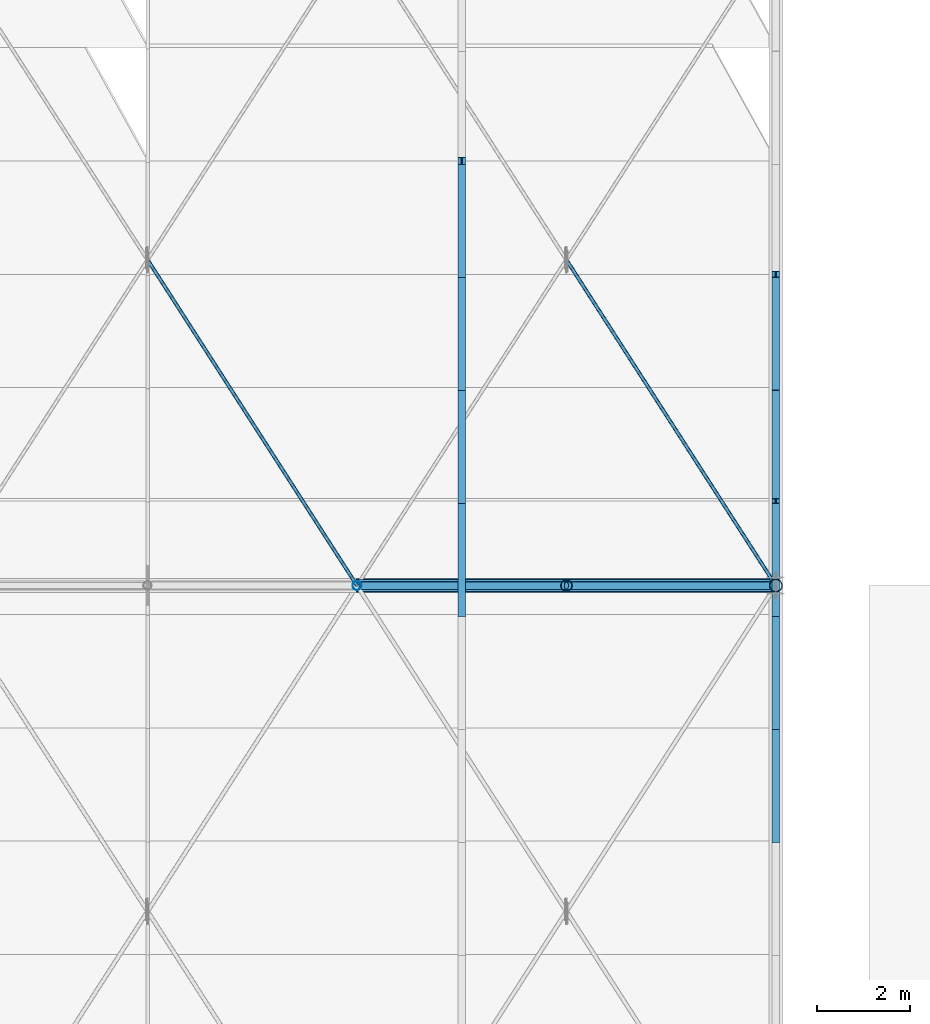
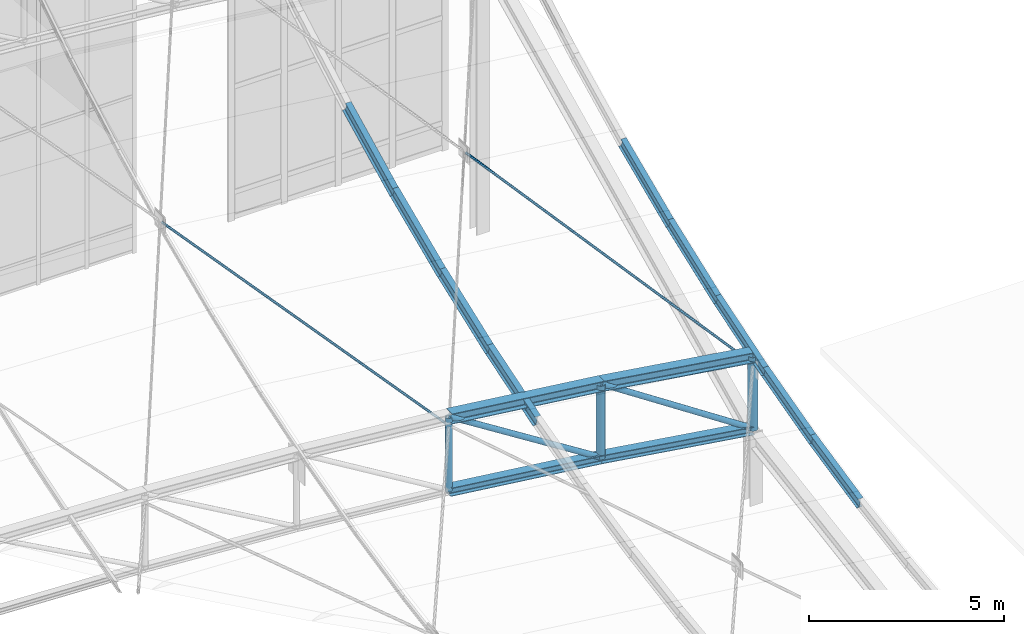
# One storey, part 184 of 262: 20 members.
"""IFC4 building model written with IfcOpenShell, lengths in metres."""

from ifc_helpers import new_model, si_unit, derived_unit, direction, frame, origin, origin_2d, place, context, subcontext, project, spatial, hollow_circle, i_section, extrude, material, material_profile, profile_set, type_object, element, save


model = new_model("IFC4")

# Units and contexts
model_context = context("Model", 3, precision=1e-05, world=origin(), true_north=direction((0.0, 1.0)))
body_context = subcontext(model_context, "Body", "Model", "MODEL_VIEW")
ifc_project = project(units=[si_unit("LENGTHUNIT", "METRE"), si_unit("AREAUNIT", "SQUARE_METRE"), si_unit("VOLUMEUNIT", "CUBIC_METRE"), si_unit("PLANEANGLEUNIT", "RADIAN"), si_unit("MASSUNIT", "GRAM", prefix="KILO"), derived_unit("THERMALTRANSMITTANCEUNIT", [(si_unit("POWERUNIT", "WATT"), 1), (si_unit("LENGTHUNIT", "METRE"), -2), (si_unit("THERMODYNAMICTEMPERATUREUNIT", "KELVIN"), -1)])], contexts=[model_context])

# Site, building, storey
site_placement = place(None, origin())
site = spatial("IfcSite", under=ifc_project, at=site_placement, CompositionType="ELEMENT")
building_placement = place(site_placement, origin())
building = spatial("IfcBuilding", under=site, at=building_placement, Name="Almenara Railside Exhibition Hall", CompositionType="ELEMENT")
storey_placement = place(building_placement, frame((0.0, 0.0, 21.699951171875)))
storey = spatial("IfcBuildingStorey", under=building, at=storey_placement, Name="RF", CompositionType="ELEMENT", Elevation=21.699951171875)

# Members
ifc_material = material(Name="Structural steel S355JR", Category="steel")
ifc_material_profile_1 = material_profile(ifc_material, i_section(OverallWidth=0.260009765625, OverallDepth=0.260009765625, WebThickness=0.010009765625, FlangeThickness=0.017578125, FilletRadius=0.02392578125, at=origin_2d()), Name="HEB 260")
ifc_profile_set_1 = profile_set([ifc_material_profile_1], Name="Structural steel S355JR")
member_type_1 = type_object("IfcMemberType", Name="Arched Truss Bottom Chord HEB 260 S355JR", PredefinedType="CHORD", material=ifc_profile_set_1)
member_1_placement = place(storey_placement, frame((183.0, 118.0, -6.09423828125), z_axis=(0.992612220818, 0.0, -0.121330041965), x_axis=(0.0, 1.0, 0.0)))
element("IfcMember", 1, at=member_1_placement, inside=storey, type_object=member_type_1, Name="MEM-BC-V2-06-10", PredefinedType="CHORD", context=body_context, shape_type="SweptSolid", body=[
    extrude(i_section(OverallWidth=0.260009765625, OverallDepth=0.260009765625, WebThickness=0.010009765625, FlangeThickness=0.017578125, FilletRadius=0.02392578125, at=origin_2d()), origin(), (0.0, 0.0, 1.0), 4.533447265625),
])
member_2_placement = place(storey_placement, frame((187.5, 118.0, -6.644287109375), z_axis=(0.9890290442, 0.0, -0.147721189165), x_axis=(0.0, 1.0, 0.0)))
element("IfcMember", 2, at=member_2_placement, inside=storey, type_object=member_type_1, Name="MEM-BC-V2-06-11", PredefinedType="CHORD", context=body_context, shape_type="SweptSolid", body=[
    extrude(i_section(OverallWidth=0.260009765625, OverallDepth=0.260009765625, WebThickness=0.010009765625, FlangeThickness=0.017578125, FilletRadius=0.02392578125, at=origin_2d()), origin(), (0.0, 0.0, 1.0), 4.5498046875),
])
ifc_material_profile_2 = material_profile(ifc_material, i_section(OverallWidth=0.300048828125, OverallDepth=0.320068359375, WebThickness=0.011474609375, FlangeThickness=0.0205078125, FilletRadius=0.027099609375, at=origin_2d()), Name="HEB 320")
ifc_profile_set_2 = profile_set([ifc_material_profile_2], Name="Structural steel S355JR")
member_type_2 = type_object("IfcMemberType", Name="Arched Truss Top Chord HEB 320 S355JR", PredefinedType="CHORD", material=ifc_profile_set_2)
member_3_placement = place(storey_placement, frame((183.0, 118.0, -3.794189453125), z_axis=(0.992612220818, 0.0, -0.121330041965), x_axis=(0.0, 1.0, 0.0)))
element("IfcMember", 3, at=member_3_placement, inside=storey, type_object=member_type_2, Name="MEM-TC-V2-06-10", PredefinedType="CHORD", context=body_context, shape_type="SweptSolid", body=[
    extrude(i_section(OverallWidth=0.300048828125, OverallDepth=0.320068359375, WebThickness=0.011474609375, FlangeThickness=0.0205078125, FilletRadius=0.027099609375, at=origin_2d()), origin(), (0.0, 0.0, 1.0), 4.533447265625),
])
member_4_placement = place(storey_placement, frame((187.5, 118.0, -4.34423828125), z_axis=(0.9890290442, 0.0, -0.147721189165), x_axis=(0.0, 1.0, 0.0)))
element("IfcMember", 4, at=member_4_placement, inside=storey, type_object=member_type_2, Name="MEM-TC-V2-06-11", PredefinedType="CHORD", context=body_context, shape_type="SweptSolid", body=[
    extrude(i_section(OverallWidth=0.300048828125, OverallDepth=0.320068359375, WebThickness=0.011474609375, FlangeThickness=0.0205078125, FilletRadius=0.027099609375, at=origin_2d()), origin(), (0.0, 0.0, 1.0), 4.5498046875),
])
ifc_material_profile_3 = material_profile(ifc_material, i_section(OverallWidth=0.159912109375, OverallDepth=0.330078125, WebThickness=0.007568359375, FlangeThickness=0.011474609375, FilletRadius=0.01806640625, at=origin_2d()), Name="IPE 330")
ifc_profile_set_3 = profile_set([ifc_material_profile_3], Name="Structural steel S355JR")
member_type_3 = type_object("IfcMemberType", Name="Gable Bay Purlin IPE 330 S355JR", PredefinedType="PURLIN", material=ifc_profile_set_3)
member_5_placement = place(storey_placement, frame((192.0, 112.50634765625, -6.3212890625), z_axis=(0.0, 0.977516294467, 0.210859891994), x_axis=(-1.0, 0.0, 0.0)))
element("IfcMember", 5, at=member_5_placement, inside=storey, type_object=member_type_3, Name="MEM-PR-V2-PR-IPE330-08-20", PredefinedType="PURLIN", context=body_context, shape_type="SweptSolid", body=[
    extrude(i_section(OverallWidth=0.159912109375, OverallDepth=0.330078125, WebThickness=0.007568359375, FlangeThickness=0.011474609375, FilletRadius=0.01806640625, at=origin_2d()), origin(), (0.0, 0.0, 1.0), 2.492919921875),
])
member_6_placement = place(storey_placement, frame((192.0, 114.943115234375, -5.7998046875), z_axis=(0.0, 0.966201190487, 0.257789176462), x_axis=(-1.0, 0.0, 0.0)))
element("IfcMember", 6, at=member_6_placement, inside=storey, type_object=member_type_3, Name="MEM-PR-V2-PR-IPE330-08-21", PredefinedType="PURLIN", context=body_context, shape_type="SweptSolid", body=[
    extrude(i_section(OverallWidth=0.159912109375, OverallDepth=0.330078125, WebThickness=0.007568359375, FlangeThickness=0.011474609375, FilletRadius=0.01806640625, at=origin_2d()), origin(), (0.0, 0.0, 1.0), 2.52197265625),
])
member_7_placement = place(storey_placement, frame((192.0, 117.3798828125, -5.155029296875), z_axis=(0.0, 0.952468462339, 0.304637207594), x_axis=(-1.0, 0.0, 0.0)))
element("IfcMember", 7, at=member_7_placement, inside=storey, type_object=member_type_3, Name="MEM-PR-V2-PR-IPE330-08-22", PredefinedType="PURLIN", context=body_context, shape_type="SweptSolid", body=[
    extrude(i_section(OverallWidth=0.159912109375, OverallDepth=0.330078125, WebThickness=0.007568359375, FlangeThickness=0.011474609375, FilletRadius=0.01806640625, at=origin_2d()), origin(), (0.0, 0.0, 1.0), 2.55810546875),
])
member_8_placement = place(storey_placement, frame((192.0, 119.81640625, -4.38232421875), z_axis=(0.0, 0.936171044044, 0.351544842508), x_axis=(-1.0, 0.0, 0.0)))
element("IfcMember", 8, at=member_8_placement, inside=storey, type_object=member_type_3, Name="MEM-PR-V2-PR-IPE330-08-23", PredefinedType="PURLIN", context=body_context, shape_type="SweptSolid", body=[
    extrude(i_section(OverallWidth=0.159912109375, OverallDepth=0.330078125, WebThickness=0.007568359375, FlangeThickness=0.011474609375, FilletRadius=0.01806640625, at=origin_2d()), origin(), (0.0, 0.0, 1.0), 2.60302734375),
])
member_9_placement = place(storey_placement, frame((192.0, 122.253173828125, -3.475341796875), z_axis=(0.0, 0.917189812532, 0.398450558775), x_axis=(-1.0, 0.0, 0.0)))
element("IfcMember", 9, at=member_9_placement, inside=storey, type_object=member_type_3, Name="MEM-PR-V2-PR-IPE330-08-24", PredefinedType="PURLIN", context=body_context, shape_type="SweptSolid", body=[
    extrude(i_section(OverallWidth=0.159912109375, OverallDepth=0.330078125, WebThickness=0.007568359375, FlangeThickness=0.011474609375, FilletRadius=0.01806640625, at=origin_2d()), origin(), (0.0, 0.0, 1.0), 2.65673828125),
])
ifc_material_profile_4 = material_profile(ifc_material, hollow_circle(Radius=0.0380859375, WallThickness=0.003662109375, at=origin_2d()), Name="CHS 76.1x3.6")
ifc_profile_set_4 = profile_set([ifc_material_profile_4], Name="Structural steel S355JR")
member_type_4 = type_object("IfcMemberType", Name="Lantern Cross-Tie Brace CHS 76.1x3.6 S355JR", PredefinedType="BRACE", material=ifc_profile_set_4)
member_10_placement = place(storey_placement, frame((183.0, 118.0, -4.07421875), z_axis=(-0.493564822407, 0.76777347967, 0.408555565373), x_axis=(-0.841180390632, -0.540754612016, 0.0)))
element("IfcMember", 10, at=member_10_placement, inside=storey, type_object=member_type_4, Name="MEM-WB-V2-WB-CHS76-06-08-S1", PredefinedType="BRACE", context=body_context, shape_type="SweptSolid", body=[
    extrude(hollow_circle(Radius=0.0380859375, WallThickness=0.003662109375, at=origin_2d()), origin(), (0.0, 0.0, 1.0), 9.0751953125),
])
member_11_placement = place(storey_placement, frame((192.0, 118.0, -5.29638671875), z_axis=(-0.488082367501, 0.759230371204, 0.430516952019), x_axis=(-0.841175602591, -0.540762060066, 0.0)))
element("IfcMember", 11, at=member_11_placement, inside=storey, type_object=member_type_4, Name="MEM-WB-V2-WB-CHS76-06-10-S1", PredefinedType="BRACE", context=body_context, shape_type="SweptSolid", body=[
    extrude(hollow_circle(Radius=0.0380859375, WallThickness=0.003662109375, at=origin_2d()), origin(), (0.0, 0.0, 1.0), 9.177734375),
])
ifc_material_profile_5 = material_profile(ifc_material, i_section(OverallWidth=0.169921875, OverallDepth=0.360107421875, WebThickness=0.008056640625, FlangeThickness=0.0126953125, FilletRadius=0.01806640625, at=origin_2d()), Name="IPE 360")
ifc_profile_set_5 = profile_set([ifc_material_profile_5], Name="Structural steel S355JR")
member_type_5 = type_object("IfcMemberType", Name="Long-Span Scroll Purlin IPE 360 S355JR", PredefinedType="PURLIN", material=ifc_profile_set_5)
member_12_placement = place(storey_placement, frame((185.25, 117.3798828125, -4.3427734375), z_axis=(0.0, 0.952468462339, 0.304637207594), x_axis=(-1.0, 0.0, 0.0)))
element("IfcMember", 12, at=member_12_placement, inside=storey, type_object=member_type_5, Name="MEM-PR-V2-PR-IPE360-07-22", PredefinedType="PURLIN", context=body_context, shape_type="SweptSolid", body=[
    extrude(i_section(OverallWidth=0.169921875, OverallDepth=0.360107421875, WebThickness=0.008056640625, FlangeThickness=0.0126953125, FilletRadius=0.01806640625, at=origin_2d()), origin(), (0.0, 0.0, 1.0), 2.55810546875),
])
member_13_placement = place(storey_placement, frame((185.25, 119.81640625, -3.5703125), z_axis=(0.0, 0.936171044044, 0.351544842508), x_axis=(-1.0, 0.0, 0.0)))
element("IfcMember", 13, at=member_13_placement, inside=storey, type_object=member_type_5, Name="MEM-PR-V2-PR-IPE360-07-23", PredefinedType="PURLIN", context=body_context, shape_type="SweptSolid", body=[
    extrude(i_section(OverallWidth=0.169921875, OverallDepth=0.360107421875, WebThickness=0.008056640625, FlangeThickness=0.0126953125, FilletRadius=0.01806640625, at=origin_2d()), origin(), (0.0, 0.0, 1.0), 2.60302734375),
])
member_14_placement = place(storey_placement, frame((185.25, 122.253173828125, -2.66357421875), z_axis=(0.0, 0.917189812532, 0.398450558775), x_axis=(-1.0, 0.0, 0.0)))
element("IfcMember", 14, at=member_14_placement, inside=storey, type_object=member_type_5, Name="MEM-PR-V2-PR-IPE360-07-24", PredefinedType="PURLIN", context=body_context, shape_type="SweptSolid", body=[
    extrude(i_section(OverallWidth=0.169921875, OverallDepth=0.360107421875, WebThickness=0.008056640625, FlangeThickness=0.0126953125, FilletRadius=0.01806640625, at=origin_2d()), origin(), (0.0, 0.0, 1.0), 2.65673828125),
])
member_15_placement = place(storey_placement, frame((185.25, 124.68994140625, -1.614990234375), z_axis=(0.0, 0.895376074457, 0.445310773831), x_axis=(-1.0, 0.0, 0.0)))
element("IfcMember", 15, at=member_15_placement, inside=storey, type_object=member_type_5, Name="MEM-PR-V2-PR-IPE360-07-25", PredefinedType="PURLIN", context=body_context, shape_type="SweptSolid", body=[
    extrude(i_section(OverallWidth=0.169921875, OverallDepth=0.360107421875, WebThickness=0.008056640625, FlangeThickness=0.0126953125, FilletRadius=0.01806640625, at=origin_2d()), origin(), (0.0, 0.0, 1.0), 2.721435546875),
])
ifc_material_profile_6 = material_profile(ifc_material, hollow_circle(Radius=0.084228515625, WallThickness=0.006103515625, at=origin_2d()), Name="CHS 168.3x6")
ifc_profile_set_6 = profile_set([ifc_material_profile_6], Name="Structural steel S355JR")
member_type_6 = type_object("IfcMemberType", Name="Truss End Diagonal CHS 168.3x6 S355JR", PredefinedType="BRACE", material=ifc_profile_set_6)
member_16_placement = place(storey_placement, frame((183.0, 118.0, -3.794189453125), z_axis=(0.844810788273, 0.0, -0.535065166141), x_axis=(0.0, 1.0, 0.0)))
element("IfcMember", 16, at=member_16_placement, inside=storey, type_object=member_type_6, Name="MEM-TD-V2-06-10", PredefinedType="BRACE", context=body_context, shape_type="SweptSolid", body=[
    extrude(hollow_circle(Radius=0.084228515625, WallThickness=0.006103515625, at=origin_2d()), origin(), (0.0, 0.0, 1.0), 5.32666015625),
])
member_17_placement = place(storey_placement, frame((187.5, 118.0, -4.34423828125), z_axis=(0.834424544227, 0.0, -0.551122200598), x_axis=(0.0, 1.0, 0.0)))
element("IfcMember", 17, at=member_17_placement, inside=storey, type_object=member_type_6, Name="MEM-TD-V2-06-11", PredefinedType="BRACE", context=body_context, shape_type="SweptSolid", body=[
    extrude(hollow_circle(Radius=0.084228515625, WallThickness=0.006103515625, at=origin_2d()), origin(), (0.0, 0.0, 1.0), 5.392822265625),
])
ifc_material_profile_7 = material_profile(ifc_material, hollow_circle(Radius=0.122314453125, WallThickness=0.008056640625, at=origin_2d()), Name="CHS 244.5x8")
ifc_profile_set_7 = profile_set([ifc_material_profile_7], Name="Structural steel S355JR")
member_type_7 = type_object("IfcMemberType", Name="Truss Haunch Vertical Strut CHS 244.5x8 S355JR", PredefinedType="BRACE", material=ifc_profile_set_7)
member_18_placement = place(storey_placement, frame((187.5, 118.0, -6.644287109375), z_axis=(0.0, 0.0, 1.0), x_axis=(1.0, 0.0, 0.0)))
element("IfcMember", 18, at=member_18_placement, inside=storey, type_object=member_type_7, Name="MEM-TV-V2-06-11", PredefinedType="BRACE", context=body_context, shape_type="SweptSolid", body=[
    extrude(hollow_circle(Radius=0.122314453125, WallThickness=0.008056640625, at=origin_2d()), origin(), (0.0, 0.0, 1.0), 2.300048828125),
])
ifc_material_profile_8 = material_profile(ifc_material, hollow_circle(Radius=0.096923828125, WallThickness=0.00634765625, at=origin_2d()), Name="CHS 193.7x6.3")
ifc_profile_set_8 = profile_set([ifc_material_profile_8], Name="Structural steel S355JR")
member_type_8 = type_object("IfcMemberType", Name="Truss Standard Vertical Strut CHS 193.7x6.3 S355JR", PredefinedType="BRACE", material=ifc_profile_set_8)
member_19_placement = place(storey_placement, frame((183.0, 118.0, -6.09423828125), z_axis=(0.0, 0.0, 1.0), x_axis=(1.0, 0.0, 0.0)))
element("IfcMember", 19, at=member_19_placement, inside=storey, type_object=member_type_8, Name="MEM-TV-V2-06-10", PredefinedType="BRACE", context=body_context, shape_type="SweptSolid", body=[
    extrude(hollow_circle(Radius=0.096923828125, WallThickness=0.00634765625, at=origin_2d()), origin(), (0.0, 0.0, 1.0), 2.300048828125),
])
ifc_material_profile_9 = material_profile(ifc_material, hollow_circle(Radius=0.136474609375, WallThickness=0.008056640625, at=origin_2d()), Name="CHS 273x8")
ifc_profile_set_9 = profile_set([ifc_material_profile_9], Name="Structural steel S355JR")
member_type_9 = type_object("IfcMemberType", Name="Truss Support Vertical Strut CHS 273x8 S355JR", PredefinedType="BRACE", material=ifc_profile_set_9)
member_20_placement = place(storey_placement, frame((192.0, 118.0, -7.31640625), z_axis=(0.0, 0.0, 1.0), x_axis=(1.0, 0.0, 0.0)))
element("IfcMember", 20, at=member_20_placement, inside=storey, type_object=member_type_9, Name="MEM-TV-V2-06-12", PredefinedType="BRACE", context=body_context, shape_type="SweptSolid", body=[
    extrude(hollow_circle(Radius=0.136474609375, WallThickness=0.008056640625, at=origin_2d()), origin(), (0.0, 0.0, 1.0), 2.300048828125),
])

save(model, "model.ifc")
